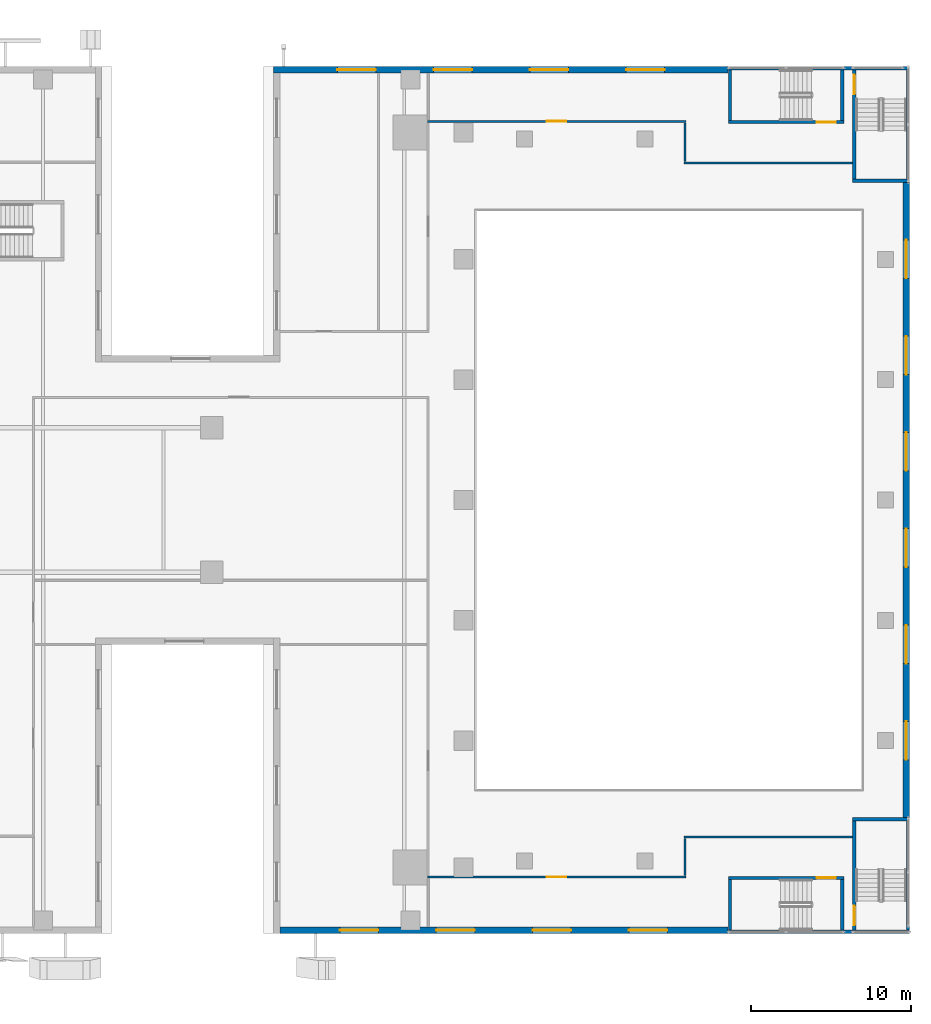
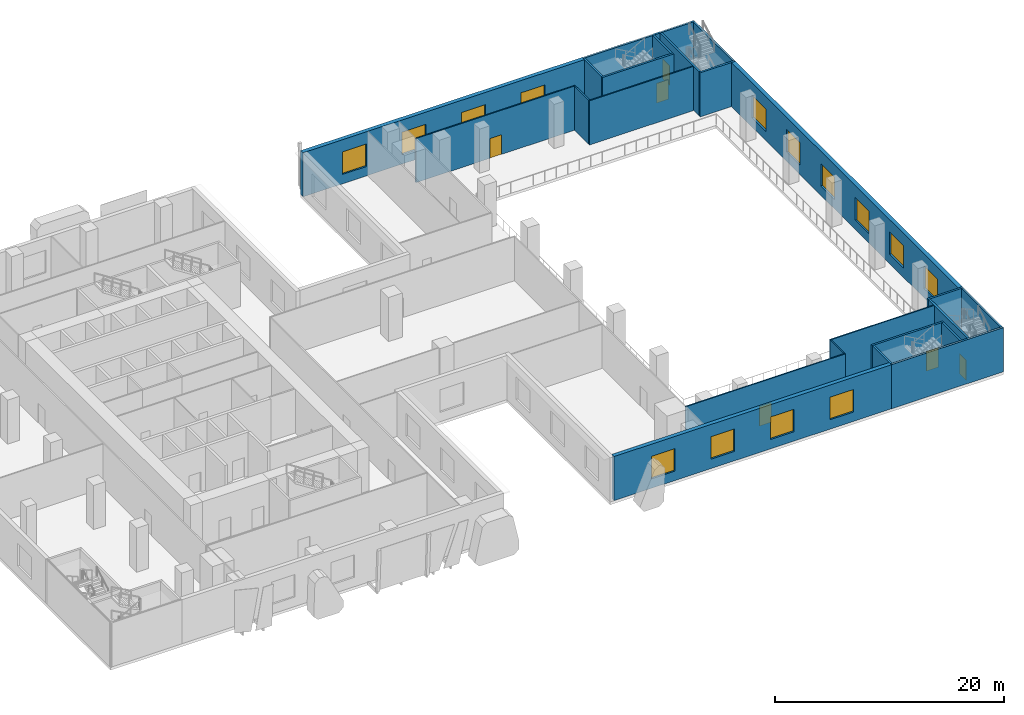
# One storey, part 14 of 23: 23 walls, 14 windows, 6 doors, 20 openings.
"""IFC4 building model written with IfcOpenShell, lengths in metres."""

from ifc_helpers import new_model, si_unit, direction, frame, frame_2d, origin, place, context, subcontext, project, spatial, rectangle, extrude, source, transform, mapped, material, layer, layer_set, type_object, element, fill, save


model = new_model("IFC4")

# Units and contexts
model_context = context("Model", 3, precision=1e-05, world=origin(), true_north=direction((0.0, 1.0)))
body_context = subcontext(model_context, "Body", "Model", "MODEL_VIEW")
ifc_project = project(units=[si_unit("LENGTHUNIT", "METRE"), si_unit("AREAUNIT", "SQUARE_METRE"), si_unit("VOLUMEUNIT", "CUBIC_METRE"), si_unit("PLANEANGLEUNIT", "RADIAN"), si_unit("MASSUNIT", "GRAM", prefix="KILO")], contexts=[model_context])

# Site, building, storey
site_placement = place(None, origin())
site = spatial("IfcSite", under=ifc_project, at=site_placement, CompositionType="ELEMENT")
building_placement = place(site_placement, origin())
building = spatial("IfcBuilding", under=site, at=building_placement, Name="Khomas Fold Tower", CompositionType="ELEMENT")
storey_placement = place(building_placement, frame((0.0, 0.0, 18.5)))
storey = spatial("IfcBuildingStorey", under=building, at=storey_placement, Name="L03", CompositionType="ELEMENT", Elevation=18.5)

# Wall, openings, windows
ifc_material_1 = material(Name="Concrete C40/50", Category="concrete")
ifc_layer_1 = layer(ifc_material_1, 0.39990234375)
ifc_layer_set_1 = layer_set([ifc_layer_1], Name="Concrete C40/50")
wall_type_1 = type_object("IfcWallType", Name="Stone-clad concrete wall 400", PredefinedType="SOLIDWALL", material=ifc_layer_set_1)
shared_shape_1 = source(origin(), body_context, "Body", "SweptSolid", [
    extrude(rectangle(XDim=27.93994140625, YDim=0.39990234375, at=frame_2d((13.969970703125, 0.0))), origin(), (0.0, 0.0, 1.0), 4.699951171875),
])
wall_1_placement = place(storey_placement, frame((41.75, 0.199951171875, 0.0), z_axis=(0.0, 0.0, 1.0), x_axis=(1.0, 0.0, 0.0)))
wall_1 = element("IfcWall", 1, at=wall_1_placement, inside=storey, type_object=wall_type_1, Name="Podium wall", PredefinedType="SOLIDWALL", context=body_context, shape_type="MappedRepresentation", body=[
    mapped(shared_shape_1, transform((0.0, 0.0, 0.0))),
])
shared_shape_2 = source(origin(), body_context, "Body", "SweptSolid", [
    extrude(rectangle(XDim=2.39990234375, YDim=2.39990234375, at=frame_2d((1.199951171875, 1.199951171875))), frame((0.0, 0.2099609375, 0.0), z_axis=(0.0, -1.0, 0.0), x_axis=(1.0, 0.0, 0.0)), (0.0, 0.0, 1.0), 0.419921875),
])
opening_1_placement = place(wall_1_placement, frame((3.75, 0.0, 1.0)))
opening_1 = element("IfcOpeningElement", 2, at=opening_1_placement, cuts=wall_1, Name="Opening PD-WN", PredefinedType="OPENING", context=body_context, shape_type="MappedRepresentation", body=[
    mapped(shared_shape_2, transform((0.0, 0.0, 0.0))),
])
opening_2_placement = place(wall_1_placement, frame((9.75, 0.0, 1.0)))
opening_2 = element("IfcOpeningElement", 3, at=opening_2_placement, cuts=wall_1, Name="Opening PD-WN", PredefinedType="OPENING", context=body_context, shape_type="MappedRepresentation", body=[
    mapped(shared_shape_2, transform((0.0, 0.0, 0.0))),
])
opening_3_placement = place(wall_1_placement, frame((15.75, 0.0, 1.0)))
opening_3 = element("IfcOpeningElement", 4, at=opening_3_placement, cuts=wall_1, Name="Opening PD-WN", PredefinedType="OPENING", context=body_context, shape_type="MappedRepresentation", body=[
    mapped(shared_shape_2, transform((0.0, 0.0, 0.0))),
])
opening_4_placement = place(wall_1_placement, frame((21.75, 0.0, 1.0)))
opening_4 = element("IfcOpeningElement", 5, at=opening_4_placement, cuts=wall_1, Name="Opening PD-WN", PredefinedType="OPENING", context=body_context, shape_type="MappedRepresentation", body=[
    mapped(shared_shape_2, transform((0.0, 0.0, 0.0))),
])
ifc_material_2 = material(Name="Aluminium framed double glazing", Category="aluminium")
window_type = type_object("IfcWindowType", Name="Podium window 2400 x 2400", PartitioningType="SINGLE_PANEL", PredefinedType="WINDOW", material=ifc_material_2)
shared_shape_3 = source(origin(), body_context, "Body", "SweptSolid", [
    extrude(rectangle(XDim=2.39990234375, YDim=2.39990234375, at=frame_2d((1.199951171875, 1.199951171875))), frame((0.0, 0.030029296875, 0.0), z_axis=(0.0, -1.0, 0.0), x_axis=(1.0, 0.0, 0.0)), (0.0, 0.0, 1.0), 0.06005859375),
])
window_1_placement = place(opening_1_placement, origin())
window_1 = element("IfcWindow", 6, at=window_1_placement, inside=storey, type_object=window_type, Name="Podium window", OverallHeight=2.39990234375, OverallWidth=2.39990234375, PartitioningType="SINGLE_PANEL", PredefinedType="WINDOW", context=body_context, shape_type="MappedRepresentation", body=[
    mapped(shared_shape_3, transform((0.0, 0.0, 0.0))),
])
fill(opening_1, window_1)
window_2_placement = place(opening_2_placement, origin())
window_2 = element("IfcWindow", 7, at=window_2_placement, inside=storey, type_object=window_type, Name="Podium window", OverallHeight=2.39990234375, OverallWidth=2.39990234375, PartitioningType="SINGLE_PANEL", PredefinedType="WINDOW", context=body_context, shape_type="MappedRepresentation", body=[
    mapped(shared_shape_3, transform((0.0, 0.0, 0.0))),
])
fill(opening_2, window_2)
window_3_placement = place(opening_3_placement, origin())
window_3 = element("IfcWindow", 8, at=window_3_placement, inside=storey, type_object=window_type, Name="Podium window", OverallHeight=2.39990234375, OverallWidth=2.39990234375, PartitioningType="SINGLE_PANEL", PredefinedType="WINDOW", context=body_context, shape_type="MappedRepresentation", body=[
    mapped(shared_shape_3, transform((0.0, 0.0, 0.0))),
])
fill(opening_3, window_3)
window_4_placement = place(opening_4_placement, origin())
window_4 = element("IfcWindow", 9, at=window_4_placement, inside=storey, type_object=window_type, Name="Podium window", OverallHeight=2.39990234375, OverallWidth=2.39990234375, PartitioningType="SINGLE_PANEL", PredefinedType="WINDOW", context=body_context, shape_type="MappedRepresentation", body=[
    mapped(shared_shape_3, transform((0.0, 0.0, 0.0))),
])
fill(opening_4, window_4)

shared_shape_4 = source(origin(), body_context, "Body", "SweptSolid", [
    extrude(rectangle(XDim=39.580078125, YDim=0.39990234375, at=frame_2d((19.7900390625, 0.0))), origin(), (0.0, 0.0, 1.0), 4.699951171875),
])
wall_2_placement = place(storey_placement, frame((80.800048828125, 7.2099609375, 0.0), z_axis=(0.0, 0.0, 1.0), x_axis=(0.0, 1.0, 0.0)))
wall_2 = element("IfcWall", 10, at=wall_2_placement, inside=storey, type_object=wall_type_1, Name="Podium wall", PredefinedType="SOLIDWALL", context=body_context, shape_type="MappedRepresentation", body=[
    mapped(shared_shape_4, transform((0.0, 0.0, 0.0))),
])
opening_5_placement = place(wall_2_placement, frame((3.60009765625, 0.0, 1.0)))
opening_5 = element("IfcOpeningElement", 11, at=opening_5_placement, cuts=wall_2, Name="Opening PD-WN", PredefinedType="OPENING", context=body_context, shape_type="MappedRepresentation", body=[
    mapped(shared_shape_2, transform((0.0, 0.0, 0.0))),
])
opening_6_placement = place(wall_2_placement, frame((9.60009765625, 0.0, 1.0)))
opening_6 = element("IfcOpeningElement", 12, at=opening_6_placement, cuts=wall_2, Name="Opening PD-WN", PredefinedType="OPENING", context=body_context, shape_type="MappedRepresentation", body=[
    mapped(shared_shape_2, transform((0.0, 0.0, 0.0))),
])
opening_7_placement = place(wall_2_placement, frame((15.60009765625, 0.0, 1.0)))
opening_7 = element("IfcOpeningElement", 13, at=opening_7_placement, cuts=wall_2, Name="Opening PD-WN", PredefinedType="OPENING", context=body_context, shape_type="MappedRepresentation", body=[
    mapped(shared_shape_2, transform((0.0, 0.0, 0.0))),
])
opening_8_placement = place(wall_2_placement, frame((21.60009765625, 0.0, 1.0)))
opening_8 = element("IfcOpeningElement", 14, at=opening_8_placement, cuts=wall_2, Name="Opening PD-WN", PredefinedType="OPENING", context=body_context, shape_type="MappedRepresentation", body=[
    mapped(shared_shape_2, transform((0.0, 0.0, 0.0))),
])
opening_9_placement = place(wall_2_placement, frame((27.60009765625, 0.0, 1.0)))
opening_9 = element("IfcOpeningElement", 15, at=opening_9_placement, cuts=wall_2, Name="Opening PD-WN", PredefinedType="OPENING", context=body_context, shape_type="MappedRepresentation", body=[
    mapped(shared_shape_2, transform((0.0, 0.0, 0.0))),
])
opening_10_placement = place(wall_2_placement, frame((33.60009765625, 0.0, 1.0)))
opening_10 = element("IfcOpeningElement", 16, at=opening_10_placement, cuts=wall_2, Name="Opening PD-WN", PredefinedType="OPENING", context=body_context, shape_type="MappedRepresentation", body=[
    mapped(shared_shape_2, transform((0.0, 0.0, 0.0))),
])
window_5_placement = place(opening_5_placement, origin())
window_5 = element("IfcWindow", 17, at=window_5_placement, inside=storey, type_object=window_type, Name="Podium window", OverallHeight=2.39990234375, OverallWidth=2.39990234375, PartitioningType="SINGLE_PANEL", PredefinedType="WINDOW", context=body_context, shape_type="MappedRepresentation", body=[
    mapped(shared_shape_3, transform((0.0, 0.0, 0.0))),
])
fill(opening_5, window_5)
window_6_placement = place(opening_6_placement, origin())
window_6 = element("IfcWindow", 18, at=window_6_placement, inside=storey, type_object=window_type, Name="Podium window", OverallHeight=2.39990234375, OverallWidth=2.39990234375, PartitioningType="SINGLE_PANEL", PredefinedType="WINDOW", context=body_context, shape_type="MappedRepresentation", body=[
    mapped(shared_shape_3, transform((0.0, 0.0, 0.0))),
])
fill(opening_6, window_6)
window_7_placement = place(opening_7_placement, origin())
window_7 = element("IfcWindow", 19, at=window_7_placement, inside=storey, type_object=window_type, Name="Podium window", OverallHeight=2.39990234375, OverallWidth=2.39990234375, PartitioningType="SINGLE_PANEL", PredefinedType="WINDOW", context=body_context, shape_type="MappedRepresentation", body=[
    mapped(shared_shape_3, transform((0.0, 0.0, 0.0))),
])
fill(opening_7, window_7)
window_8_placement = place(opening_8_placement, origin())
window_8 = element("IfcWindow", 20, at=window_8_placement, inside=storey, type_object=window_type, Name="Podium window", OverallHeight=2.39990234375, OverallWidth=2.39990234375, PartitioningType="SINGLE_PANEL", PredefinedType="WINDOW", context=body_context, shape_type="MappedRepresentation", body=[
    mapped(shared_shape_3, transform((0.0, 0.0, 0.0))),
])
fill(opening_8, window_8)
window_9_placement = place(opening_9_placement, origin())
window_9 = element("IfcWindow", 21, at=window_9_placement, inside=storey, type_object=window_type, Name="Podium window", OverallHeight=2.39990234375, OverallWidth=2.39990234375, PartitioningType="SINGLE_PANEL", PredefinedType="WINDOW", context=body_context, shape_type="MappedRepresentation", body=[
    mapped(shared_shape_3, transform((0.0, 0.0, 0.0))),
])
fill(opening_9, window_9)
window_10_placement = place(opening_10_placement, origin())
window_10 = element("IfcWindow", 22, at=window_10_placement, inside=storey, type_object=window_type, Name="Podium window", OverallHeight=2.39990234375, OverallWidth=2.39990234375, PartitioningType="SINGLE_PANEL", PredefinedType="WINDOW", context=body_context, shape_type="MappedRepresentation", body=[
    mapped(shared_shape_3, transform((0.0, 0.0, 0.0))),
])
fill(opening_10, window_10)

shared_shape_5 = source(origin(), body_context, "Body", "SweptSolid", [
    extrude(rectangle(XDim=28.33984375, YDim=0.39990234375, at=frame_2d((14.169921875, 0.0))), origin(), (0.0, 0.0, 1.0), 4.699951171875),
])
wall_3_placement = place(storey_placement, frame((69.68994140625, 53.800048828125, 0.0), z_axis=(0.0, 0.0, 1.0), x_axis=(-1.0, 0.0, 0.0)))
wall_3 = element("IfcWall", 23, at=wall_3_placement, inside=storey, type_object=wall_type_1, Name="Podium wall", PredefinedType="SOLIDWALL", context=body_context, shape_type="MappedRepresentation", body=[
    mapped(shared_shape_5, transform((0.0, 0.0, 0.0))),
])
opening_11_placement = place(wall_3_placement, frame((3.949951171875, 0.0, 1.0)))
opening_11 = element("IfcOpeningElement", 24, at=opening_11_placement, cuts=wall_3, Name="Opening PD-WN", PredefinedType="OPENING", context=body_context, shape_type="MappedRepresentation", body=[
    mapped(shared_shape_2, transform((0.0, 0.0, 0.0))),
])
opening_12_placement = place(wall_3_placement, frame((9.949951171875, 0.0, 1.0)))
opening_12 = element("IfcOpeningElement", 25, at=opening_12_placement, cuts=wall_3, Name="Opening PD-WN", PredefinedType="OPENING", context=body_context, shape_type="MappedRepresentation", body=[
    mapped(shared_shape_2, transform((0.0, 0.0, 0.0))),
])
opening_13_placement = place(wall_3_placement, frame((15.949951171875, 0.0, 1.0)))
opening_13 = element("IfcOpeningElement", 26, at=opening_13_placement, cuts=wall_3, Name="Opening PD-WN", PredefinedType="OPENING", context=body_context, shape_type="MappedRepresentation", body=[
    mapped(shared_shape_2, transform((0.0, 0.0, 0.0))),
])
opening_14_placement = place(wall_3_placement, frame((21.949951171875, 0.0, 1.0)))
opening_14 = element("IfcOpeningElement", 27, at=opening_14_placement, cuts=wall_3, Name="Opening PD-WN", PredefinedType="OPENING", context=body_context, shape_type="MappedRepresentation", body=[
    mapped(shared_shape_2, transform((0.0, 0.0, 0.0))),
])
window_11_placement = place(opening_11_placement, origin())
window_11 = element("IfcWindow", 28, at=window_11_placement, inside=storey, type_object=window_type, Name="Podium window", OverallHeight=2.39990234375, OverallWidth=2.39990234375, PartitioningType="SINGLE_PANEL", PredefinedType="WINDOW", context=body_context, shape_type="MappedRepresentation", body=[
    mapped(shared_shape_3, transform((0.0, 0.0, 0.0))),
])
fill(opening_11, window_11)
window_12_placement = place(opening_12_placement, origin())
window_12 = element("IfcWindow", 29, at=window_12_placement, inside=storey, type_object=window_type, Name="Podium window", OverallHeight=2.39990234375, OverallWidth=2.39990234375, PartitioningType="SINGLE_PANEL", PredefinedType="WINDOW", context=body_context, shape_type="MappedRepresentation", body=[
    mapped(shared_shape_3, transform((0.0, 0.0, 0.0))),
])
fill(opening_12, window_12)
window_13_placement = place(opening_13_placement, origin())
window_13 = element("IfcWindow", 30, at=window_13_placement, inside=storey, type_object=window_type, Name="Podium window", OverallHeight=2.39990234375, OverallWidth=2.39990234375, PartitioningType="SINGLE_PANEL", PredefinedType="WINDOW", context=body_context, shape_type="MappedRepresentation", body=[
    mapped(shared_shape_3, transform((0.0, 0.0, 0.0))),
])
fill(opening_13, window_13)
window_14_placement = place(opening_14_placement, origin())
window_14 = element("IfcWindow", 31, at=window_14_placement, inside=storey, type_object=window_type, Name="Podium window", OverallHeight=2.39990234375, OverallWidth=2.39990234375, PartitioningType="SINGLE_PANEL", PredefinedType="WINDOW", context=body_context, shape_type="MappedRepresentation", body=[
    mapped(shared_shape_3, transform((0.0, 0.0, 0.0))),
])
fill(opening_14, window_14)

# Wall, opening, door
ifc_material_3 = material(Name="Concrete C30/37", Category="concrete")
ifc_layer_2 = layer(ifc_material_3, 0.199951171875)
ifc_layer_set_2 = layer_set([ifc_layer_2], Name="Concrete C30/37")
wall_type_2 = type_object("IfcWallType", Name="Stair wall PW5 200", PredefinedType="PARTITIONING", material=ifc_layer_set_2)
shared_shape_6 = source(origin(), body_context, "Body", "SweptSolid", [
    extrude(rectangle(XDim=7.199951171875, YDim=0.199951171875, at=frame_2d((3.60009765625, 0.0))), origin(), (0.0, 0.0, 1.0), 4.699951171875),
])
wall_4_placement = place(storey_placement, frame((69.699951171875, 3.449951171875, 0.0), z_axis=(0.0, 0.0, 1.0), x_axis=(1.0, 0.0, 0.0)))
wall_4 = element("IfcWall", 32, at=wall_4_placement, inside=storey, type_object=wall_type_2, Name="Stair wall", PredefinedType="PARTITIONING", context=body_context, shape_type="MappedRepresentation", body=[
    mapped(shared_shape_6, transform((0.0, 0.0, 0.0))),
])
shared_shape_7 = source(origin(), body_context, "Body", "SweptSolid", [
    extrude(rectangle(XDim=1.199951171875, YDim=2.10009765625, at=frame_2d((0.60009765625, 1.050048828125))), frame((0.0, 0.10986328125, 0.0), z_axis=(0.0, -1.0, 0.0), x_axis=(1.0, 0.0, 0.0)), (0.0, 0.0, 1.0), 0.219970703125),
])
opening_15_placement = place(wall_4_placement, frame((5.5, 0.0, 0.0)))
opening_15 = element("IfcOpeningElement", 33, at=opening_15_placement, cuts=wall_4, Name="Opening 0018", PredefinedType="OPENING", context=body_context, shape_type="MappedRepresentation", body=[
    mapped(shared_shape_7, transform((0.0, 0.0, 0.0))),
])
ifc_material_4 = material(Name="Steel door leaf", Category="steel")
door_type_1 = type_object("IfcDoorType", Name="Stair door 1200x2100 right-hand", OperationType="SINGLE_SWING_RIGHT", PredefinedType="DOOR", material=ifc_material_4)
shared_shape_8 = source(origin(), body_context, "Body", "SweptSolid", [
    extrude(rectangle(XDim=1.199951171875, YDim=2.10009765625, at=frame_2d((0.60009765625, 1.050048828125))), frame((0.0, 0.02490234375, 0.0), z_axis=(0.0, -1.0, 0.0), x_axis=(1.0, 0.0, 0.0)), (0.0, 0.0, 1.0), 0.050048828125),
])
door_1_placement = place(opening_15_placement, origin())
door_1 = element("IfcDoor", 34, at=door_1_placement, inside=storey, type_object=door_type_1, Name="Stair door", OperationType="SINGLE_SWING_RIGHT", OverallHeight=2.10009765625, OverallWidth=1.199951171875, PredefinedType="DOOR", context=body_context, shape_type="MappedRepresentation", body=[
    mapped(shared_shape_8, transform((0.0, 0.0, 0.0))),
])
fill(opening_15, door_1)

wall_5_placement = place(storey_placement, frame((69.699951171875, 50.550048828125, 0.0), z_axis=(0.0, 0.0, 1.0), x_axis=(1.0, 0.0, 0.0)))
wall_5 = element("IfcWall", 35, at=wall_5_placement, inside=storey, type_object=wall_type_2, Name="Stair wall", PredefinedType="PARTITIONING", context=body_context, shape_type="MappedRepresentation", body=[
    mapped(shared_shape_6, transform((0.0, 0.0, 0.0))),
])
opening_16_placement = place(wall_5_placement, frame((5.5, 0.0, 0.0)))
opening_16 = element("IfcOpeningElement", 36, at=opening_16_placement, cuts=wall_5, Name="Opening 0017", PredefinedType="OPENING", context=body_context, shape_type="MappedRepresentation", body=[
    mapped(shared_shape_7, transform((0.0, 0.0, 0.0))),
])
ifc_material_5 = material(Name="Steel door leaf", Category="steel")
door_type_2 = type_object("IfcDoorType", Name="Stair door 1200x2100 left-hand", OperationType="SINGLE_SWING_LEFT", PredefinedType="DOOR", material=ifc_material_5)
door_2_placement = place(opening_16_placement, origin())
door_2 = element("IfcDoor", 37, at=door_2_placement, inside=storey, type_object=door_type_2, Name="Stair door", OperationType="SINGLE_SWING_LEFT", OverallHeight=2.10009765625, OverallWidth=1.199951171875, PredefinedType="DOOR", context=body_context, shape_type="MappedRepresentation", body=[
    mapped(shared_shape_8, transform((0.0, 0.0, 0.0))),
])
fill(opening_16, door_2)

# Walls
shared_shape_9 = source(origin(), body_context, "Body", "SweptSolid", [
    extrude(rectangle(XDim=3.150146484375, YDim=0.199951171875, at=frame_2d((1.5751953125, 0.0))), origin(), (0.0, 0.0, 1.0), 4.699951171875),
])
for number, where, z_axis, x_axis, name in (
    (38, (69.800048828125, 0.199951171875, 0.0), (0.0, 0.0, 1.0), (0.0, 1.0, 0.0), "Stair wall"),
    (39, (76.800048828125, 0.199951171875, 0.0), (0.0, 0.0, 1.0), (0.0, 1.0, 0.0), "Stair wall"),
    (40, (69.800048828125, 50.64990234375, 0.0), (0.0, 0.0, 1.0), (0.0, 1.0, 0.0), "Stair wall"),
    (41, (76.800048828125, 50.64990234375, 0.0), (0.0, 0.0, 1.0), (0.0, 1.0, 0.0), "Stair wall"),
):
    element("IfcWall", number, at=place(storey_placement, frame(where, z_axis=z_axis, x_axis=x_axis)), inside=storey, type_object=wall_type_2, Name=name, PredefinedType="PARTITIONING", context=body_context, shape_type="MappedRepresentation", body=[
        mapped(shared_shape_9, transform((0.0, 0.0, 0.0))),
    ])
shared_shape_10 = source(origin(), body_context, "Body", "SweptSolid", [
    extrude(rectangle(XDim=3.550048828125, YDim=0.199951171875, at=frame_2d((1.77490234375, 0.0))), origin(), (0.0, 0.0, 1.0), 4.699951171875),
])
for number, where, z_axis, x_axis, name in (
    (42, (77.449951171875, 7.10009765625, 0.0), (0.0, 0.0, 1.0), (1.0, 0.0, 0.0), "Stair wall"),
    (43, (77.449951171875, 46.89990234375, 0.0), (0.0, 0.0, 1.0), (1.0, 0.0, 0.0), "Stair wall"),
):
    element("IfcWall", number, at=place(storey_placement, frame(where, z_axis=z_axis, x_axis=x_axis)), inside=storey, type_object=wall_type_2, Name=name, PredefinedType="PARTITIONING", context=body_context, shape_type="MappedRepresentation", body=[
        mapped(shared_shape_10, transform((0.0, 0.0, 0.0))),
    ])

# Wall, opening, door
shared_shape_11 = source(origin(), body_context, "Body", "SweptSolid", [
    extrude(rectangle(XDim=6.800048828125, YDim=0.199951171875, at=frame_2d((3.39990234375, 0.0))), origin(), (0.0, 0.0, 1.0), 4.699951171875),
])
wall_6_placement = place(storey_placement, frame((77.550048828125, 0.199951171875, 0.0), z_axis=(0.0, 0.0, 1.0), x_axis=(0.0, 1.0, 0.0)))
wall_6 = element("IfcWall", 44, at=wall_6_placement, inside=storey, type_object=wall_type_2, Name="Stair wall", PredefinedType="PARTITIONING", context=body_context, shape_type="MappedRepresentation", body=[
    mapped(shared_shape_11, transform((0.0, 0.0, 0.0))),
])
opening_17_placement = place(wall_6_placement, frame((0.300048828125, 0.0, 0.0)))
opening_17 = element("IfcOpeningElement", 45, at=opening_17_placement, cuts=wall_6, Name="Opening 0018", PredefinedType="OPENING", context=body_context, shape_type="MappedRepresentation", body=[
    mapped(shared_shape_7, transform((0.0, 0.0, 0.0))),
])
door_3_placement = place(opening_17_placement, origin())
door_3 = element("IfcDoor", 46, at=door_3_placement, inside=storey, type_object=door_type_1, Name="Stair door", OperationType="SINGLE_SWING_RIGHT", OverallHeight=2.10009765625, OverallWidth=1.199951171875, PredefinedType="DOOR", context=body_context, shape_type="MappedRepresentation", body=[
    mapped(shared_shape_8, transform((0.0, 0.0, 0.0))),
])
fill(opening_17, door_3)

# Wall
wall_7_placement = place(storey_placement, frame((80.89990234375, 0.199951171875, 0.0), z_axis=(0.0, 0.0, 1.0), x_axis=(0.0, 1.0, 0.0)))
element("IfcWall", 47, at=wall_7_placement, inside=storey, type_object=wall_type_2, Name="Stair wall", PredefinedType="PARTITIONING", context=body_context, shape_type="MappedRepresentation", body=[
    mapped(shared_shape_11, transform((0.0, 0.0, 0.0))),
])

# Wall, opening, door
wall_8_placement = place(storey_placement, frame((77.550048828125, 47.0, 0.0), z_axis=(0.0, 0.0, 1.0), x_axis=(0.0, 1.0, 0.0)))
wall_8 = element("IfcWall", 48, at=wall_8_placement, inside=storey, type_object=wall_type_2, Name="Stair wall", PredefinedType="PARTITIONING", context=body_context, shape_type="MappedRepresentation", body=[
    mapped(shared_shape_11, transform((0.0, 0.0, 0.0))),
])
opening_18_placement = place(wall_8_placement, frame((5.300048828125, 0.0, 0.0)))
opening_18 = element("IfcOpeningElement", 49, at=opening_18_placement, cuts=wall_8, Name="Opening 0018", PredefinedType="OPENING", context=body_context, shape_type="MappedRepresentation", body=[
    mapped(shared_shape_7, transform((0.0, 0.0, 0.0))),
])
door_4_placement = place(opening_18_placement, origin())
door_4 = element("IfcDoor", 50, at=door_4_placement, inside=storey, type_object=door_type_1, Name="Stair door", OperationType="SINGLE_SWING_RIGHT", OverallHeight=2.10009765625, OverallWidth=1.199951171875, PredefinedType="DOOR", context=body_context, shape_type="MappedRepresentation", body=[
    mapped(shared_shape_8, transform((0.0, 0.0, 0.0))),
])
fill(opening_18, door_4)

# Walls
wall_9_placement = place(storey_placement, frame((80.89990234375, 47.0, 0.0), z_axis=(0.0, 0.0, 1.0), x_axis=(0.0, 1.0, 0.0)))
element("IfcWall", 51, at=wall_9_placement, inside=storey, type_object=wall_type_2, Name="Stair wall", PredefinedType="PARTITIONING", context=body_context, shape_type="MappedRepresentation", body=[
    mapped(shared_shape_11, transform((0.0, 0.0, 0.0))),
])
shared_shape_12 = source(origin(), body_context, "Body", "SweptSolid", [
    extrude(rectangle(XDim=11.300048828125, YDim=0.199951171875, at=frame_2d((5.64990234375, 0.0))), origin(), (0.0, 0.0, 1.0), 4.699951171875),
])
for number, where, z_axis, x_axis, name in (
    (52, (69.699951171875, 0.10009765625, 0.0), (0.0, 0.0, 1.0), (1.0, 0.0, 0.0), "Stair wall"),
    (53, (69.699951171875, 53.89990234375, 0.0), (0.0, 0.0, 1.0), (1.0, 0.0, 0.0), "Stair wall"),
):
    element("IfcWall", number, at=place(storey_placement, frame(where, z_axis=z_axis, x_axis=x_axis)), inside=storey, type_object=wall_type_2, Name=name, PredefinedType="PARTITIONING", context=body_context, shape_type="MappedRepresentation", body=[
        mapped(shared_shape_12, transform((0.0, 0.0, 0.0))),
    ])

# Wall, opening, door
ifc_material_6 = material(Name="Plasterboard partition")
ifc_layer_3 = layer(ifc_material_6, 0.125)
ifc_layer_set_3 = layer_set([ifc_layer_3], Name="Plasterboard partition")
wall_type_3 = type_object("IfcWallType", Name="Partition PW2 125", PredefinedType="PARTITIONING", material=ifc_layer_set_3)
shared_shape_13 = source(origin(), body_context, "Body", "SweptSolid", [
    extrude(rectangle(XDim=16.10009765625, YDim=0.125, at=frame_2d((8.050048828125, 0.0))), origin(), (0.0, 0.0, 1.0), 4.699951171875),
])
wall_10_placement = place(storey_placement, frame((50.949951171875, 3.5, 0.0), z_axis=(0.0, 0.0, 1.0), x_axis=(1.0, 0.0, 0.0)))
wall_10 = element("IfcWall", 54, at=wall_10_placement, inside=storey, type_object=wall_type_3, Name="Partition", PredefinedType="PARTITIONING", context=body_context, shape_type="MappedRepresentation", body=[
    mapped(shared_shape_13, transform((0.0, 0.0, 0.0))),
])
shared_shape_14 = source(origin(), body_context, "Body", "SweptSolid", [
    extrude(rectangle(XDim=1.199951171875, YDim=2.10009765625, at=frame_2d((0.60009765625, 1.050048828125))), frame((0.0, 0.072509765625, 0.0), z_axis=(0.0, -1.0, 0.0), x_axis=(1.0, 0.0, 0.0)), (0.0, 0.0, 1.0), 0.14501953125),
])
opening_19_placement = place(wall_10_placement, frame((7.449951171875, 0.0, 0.0)))
opening_19 = element("IfcOpeningElement", 55, at=opening_19_placement, cuts=wall_10, Name="Opening 0013", PredefinedType="OPENING", context=body_context, shape_type="MappedRepresentation", body=[
    mapped(shared_shape_14, transform((0.0, 0.0, 0.0))),
])
ifc_material_7 = material(Name="Timber door leaf", Category="wood")
door_type_3 = type_object("IfcDoorType", Name="Door 1200x2100 left-hand", OperationType="SINGLE_SWING_LEFT", PredefinedType="DOOR", material=ifc_material_7)
door_5_placement = place(opening_19_placement, origin())
door_5 = element("IfcDoor", 56, at=door_5_placement, inside=storey, type_object=door_type_3, Name="Door", OperationType="SINGLE_SWING_LEFT", OverallHeight=2.10009765625, OverallWidth=1.199951171875, PredefinedType="DOOR", context=body_context, shape_type="MappedRepresentation", body=[
    mapped(shared_shape_8, transform((0.0, 0.0, 0.0))),
])
fill(opening_19, door_5)

wall_11_placement = place(storey_placement, frame((50.949951171875, 50.60009765625, 0.0), z_axis=(0.0, 0.0, 1.0), x_axis=(1.0, 0.0, 0.0)))
wall_11 = element("IfcWall", 57, at=wall_11_placement, inside=storey, type_object=wall_type_3, Name="Partition", PredefinedType="PARTITIONING", context=body_context, shape_type="MappedRepresentation", body=[
    mapped(shared_shape_13, transform((0.0, 0.0, 0.0))),
])
opening_20_placement = place(wall_11_placement, frame((7.449951171875, 0.0, 0.0)))
opening_20 = element("IfcOpeningElement", 58, at=opening_20_placement, cuts=wall_11, Name="Opening 0013", PredefinedType="OPENING", context=body_context, shape_type="MappedRepresentation", body=[
    mapped(shared_shape_14, transform((0.0, 0.0, 0.0))),
])
door_6_placement = place(opening_20_placement, origin())
door_6 = element("IfcDoor", 59, at=door_6_placement, inside=storey, type_object=door_type_3, Name="Door", OperationType="SINGLE_SWING_LEFT", OverallHeight=2.10009765625, OverallWidth=1.199951171875, PredefinedType="DOOR", context=body_context, shape_type="MappedRepresentation", body=[
    mapped(shared_shape_8, transform((0.0, 0.0, 0.0))),
])
fill(opening_20, door_6)

# Walls
shared_shape_15 = source(origin(), body_context, "Body", "SweptSolid", [
    extrude(rectangle(XDim=2.2998046875, YDim=0.125, at=frame_2d((1.14990234375, 0.0))), origin(), (0.0, 0.0, 1.0), 4.699951171875),
])
wall_12_placement = place(storey_placement, frame((67.0, 3.60009765625, 0.0), z_axis=(0.0, 0.0, 1.0), x_axis=(0.0, 1.0, 0.0)))
element("IfcWall", 60, at=wall_12_placement, inside=storey, type_object=wall_type_3, Name="Partition", PredefinedType="PARTITIONING", context=body_context, shape_type="MappedRepresentation", body=[
    mapped(shared_shape_15, transform((0.0, 0.0, 0.0))),
])
shared_shape_16 = source(origin(), body_context, "Body", "SweptSolid", [
    extrude(rectangle(XDim=10.5, YDim=0.125, at=frame_2d((5.25, 0.0))), origin(), (0.0, 0.0, 1.0), 4.699951171875),
])
for number, where, z_axis, x_axis, name in (
    (61, (66.949951171875, 6.0, 0.0), (0.0, 0.0, 1.0), (1.0, 0.0, 0.0), "Partition"),
    (62, (66.949951171875, 48.0, 0.0), (0.0, 0.0, 1.0), (1.0, 0.0, 0.0), "Partition"),
):
    element("IfcWall", number, at=place(storey_placement, frame(where, z_axis=z_axis, x_axis=x_axis)), inside=storey, type_object=wall_type_3, Name=name, PredefinedType="PARTITIONING", context=body_context, shape_type="MappedRepresentation", body=[
        mapped(shared_shape_16, transform((0.0, 0.0, 0.0))),
    ])
shared_shape_17 = source(origin(), body_context, "Body", "SweptSolid", [
    extrude(rectangle(XDim=2.39990234375, YDim=0.125, at=frame_2d((1.199951171875, 0.0))), origin(), (0.0, 0.0, 1.0), 4.699951171875),
])
wall_13_placement = place(storey_placement, frame((67.0, 48.10009765625, 0.0), z_axis=(0.0, 0.0, 1.0), x_axis=(0.0, 1.0, 0.0)))
element("IfcWall", 63, at=wall_13_placement, inside=storey, type_object=wall_type_3, Name="Partition", PredefinedType="PARTITIONING", context=body_context, shape_type="MappedRepresentation", body=[
    mapped(shared_shape_17, transform((0.0, 0.0, 0.0))),
])

save(model, "model.ifc")
